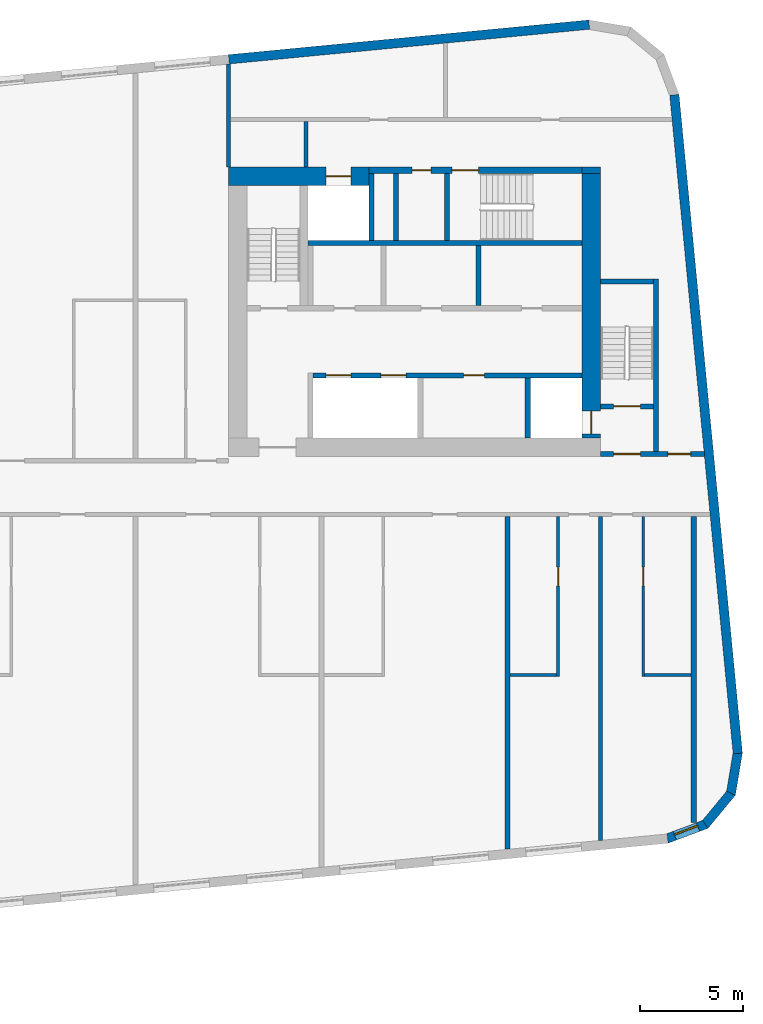
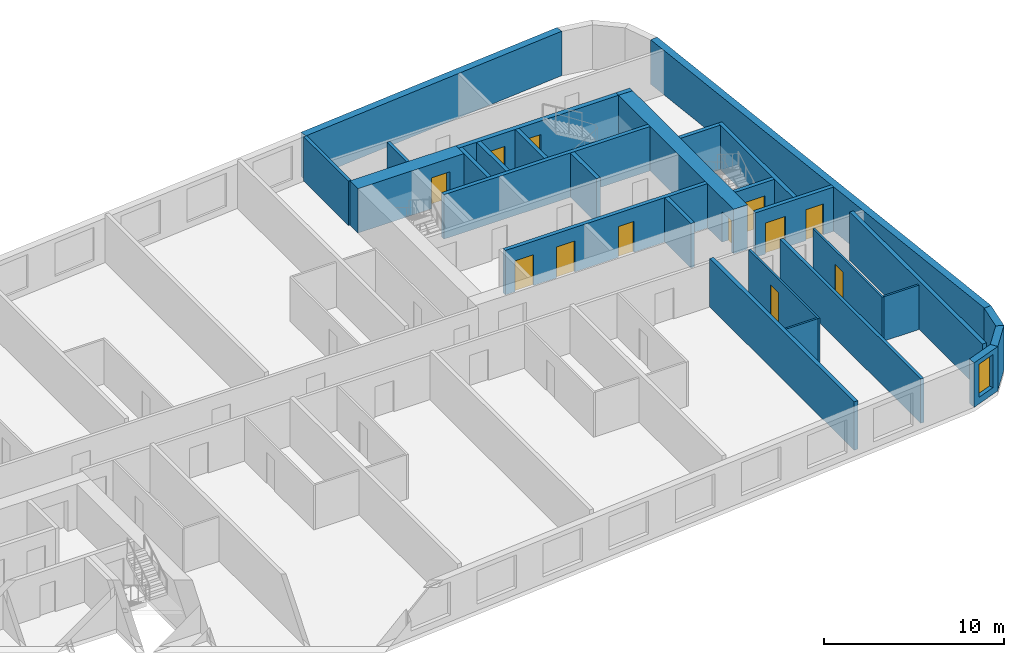
# One storey, part 6 of 11: 29 walls, 12 doors, 1 window, 13 openings.
"""IFC4 building model written with IfcOpenShell, lengths in metres."""

from ifc_helpers import new_model, si_unit, direction, frame, frame_2d, origin, place, context, subcontext, project, spatial, polyline, rectangle, outline, extrude, material, layer, layer_set, type_object, element, fill, save


model = new_model("IFC4")

# Units and contexts
model_context = context("Model", 3, precision=1e-05, world=origin(), true_north=direction((0.0, 1.0)))
body_context = subcontext(model_context, "Body", "Model", "MODEL_VIEW")
ifc_project = project(units=[si_unit("LENGTHUNIT", "METRE"), si_unit("AREAUNIT", "SQUARE_METRE"), si_unit("VOLUMEUNIT", "CUBIC_METRE"), si_unit("PLANEANGLEUNIT", "RADIAN"), si_unit("MASSUNIT", "GRAM", prefix="KILO")], contexts=[model_context])

# Site, building, storey
site_placement = place(None, origin())
site = spatial("IfcSite", under=ifc_project, at=site_placement, CompositionType="ELEMENT")
building_placement = place(site_placement, origin())
building = spatial("IfcBuilding", under=site, at=building_placement, Name="Kajstack Hotel Tower", CompositionType="ELEMENT")
storey_placement = place(building_placement, frame((0.0, 0.0, 271.800048828125)))
storey = spatial("IfcBuildingStorey", under=building, at=storey_placement, Name="L67", CompositionType="ELEMENT", Elevation=271.800048828125)

# Wall, opening, door
ifc_material_1 = material(Name="Concrete C60/75", Category="concrete")
ifc_layer_1 = layer(ifc_material_1, 0.89990234375)
ifc_layer_set_1 = layer_set([ifc_layer_1], Name="Core wall 900")
wall_type_1 = type_object("IfcWallType", Name="Core wall 900", PredefinedType="SHEAR", material=ifc_layer_set_1)
wall_1_placement = place(storey_placement, frame((13.5, 15.050048828125, 0.0), z_axis=(0.0, 0.0, 1.0), x_axis=(1.0, 0.0, 0.0)))
wall_1 = element("IfcWall", 1, at=wall_1_placement, inside=storey, type_object=wall_type_1, Name="Core wall E RS", PredefinedType="SHEAR", context=body_context, shape_type="SweptSolid", body=[
    extrude(rectangle(XDim=6.800048828125, YDim=0.89990234375, at=frame_2d((3.39990234375, 0.0))), origin(), (0.0, 0.0, 1.0), 3.02001953125),
])
opening_1_placement = place(wall_1_placement, frame((4.72509765625, 0.0, 0.0)))
opening_1 = element("IfcOpeningElement", 2, at=opening_1_placement, cuts=wall_1, Name="Opening LD-SV2", PredefinedType="OPENING", context=body_context, shape_type="SweptSolid", body=[
    extrude(rectangle(XDim=1.199951171875, YDim=2.10009765625, at=frame_2d((0.60009765625, 1.050048828125))), frame((0.0, 0.4599609375, 0.0), z_axis=(0.0, -1.0, 0.0), x_axis=(1.0, 0.0, 0.0)), (0.0, 0.0, 1.0), 0.919921875),
])
ifc_material_2 = material(Name="Stainless steel", Category="steel")
door_type_1 = type_object("IfcDoorType", Name="Lift landing door 1200", OperationType="SLIDING_TO_LEFT", PredefinedType="DOOR", material=ifc_material_2)
door_1_placement = place(opening_1_placement, origin())
door_1 = element("IfcDoor", 3, at=door_1_placement, inside=storey, type_object=door_type_1, Name="Landing door SV2", OperationType="SLIDING_TO_LEFT", OverallHeight=2.10009765625, OverallWidth=1.199951171875, PredefinedType="DOOR", context=body_context, shape_type="SweptSolid", body=[
    extrude(rectangle(XDim=1.199951171875, YDim=2.10009765625, at=frame_2d((0.60009765625, 1.050048828125))), frame((0.0, 0.02490234375, 0.0), z_axis=(0.0, -1.0, 0.0), x_axis=(1.0, 0.0, 0.0)), (0.0, 0.0, 1.0), 0.050048828125),
])
fill(opening_1, door_1)

# Wall
wall_2_placement = place(storey_placement, frame((30.60009765625, 15.35009765625, 0.0), z_axis=(0.0, 0.0, 1.0), x_axis=(1.0, 0.0, 0.0)))
element("IfcWall", 4, at=wall_2_placement, inside=storey, type_object=wall_type_1, Name="Core wall E RSW", PredefinedType="SHEAR", context=body_context, shape_type="SweptSolid", body=[
    extrude(rectangle(XDim=0.89990234375, YDim=0.300048828125, at=frame_2d((0.449951171875, 0.0))), origin(), (0.0, 0.0, 1.0), 3.02001953125),
])

# Wall, opening, door
wall_3_placement = place(storey_placement, frame((31.050048828125, 2.39990234375, 0.0), z_axis=(0.0, 0.0, 1.0), x_axis=(0.0, 1.0, 0.0)))
wall_3 = element("IfcWall", 5, at=wall_3_placement, inside=storey, type_object=wall_type_1, Name="Core wall E RW", PredefinedType="SHEAR", context=body_context, shape_type="SweptSolid", body=[
    extrude(rectangle(XDim=12.800048828125, YDim=0.89990234375, at=frame_2d((6.39990234375, 0.0))), origin(), (0.0, 0.0, 1.0), 3.02001953125),
])
opening_2_placement = place(wall_3_placement, frame((0.199951171875, 0.0, 0.0)))
opening_2 = element("IfcOpeningElement", 6, at=opening_2_placement, cuts=wall_3, Name="Opening LD-FF2", PredefinedType="OPENING", context=body_context, shape_type="SweptSolid", body=[
    extrude(rectangle(XDim=1.10009765625, YDim=2.10009765625, at=frame_2d((0.550048828125, 1.050048828125))), frame((0.0, 0.4599609375, 0.0), z_axis=(0.0, -1.0, 0.0), x_axis=(1.0, 0.0, 0.0)), (0.0, 0.0, 1.0), 0.919921875),
])
door_type_2 = type_object("IfcDoorType", Name="Fire-fighting lift landing door 1100", OperationType="SLIDING_TO_LEFT", PredefinedType="DOOR", material=ifc_material_2)
door_2_placement = place(opening_2_placement, origin())
door_2 = element("IfcDoor", 7, at=door_2_placement, inside=storey, type_object=door_type_2, Name="Landing door FF2", OperationType="SLIDING_TO_LEFT", OverallHeight=2.10009765625, OverallWidth=1.10009765625, PredefinedType="DOOR", context=body_context, shape_type="SweptSolid", body=[
    extrude(rectangle(XDim=1.10009765625, YDim=2.10009765625, at=frame_2d((0.550048828125, 1.050048828125))), frame((0.0, 0.02490234375, 0.0), z_axis=(0.0, -1.0, 0.0), x_axis=(1.0, 0.0, 0.0)), (0.0, 0.0, 1.0), 0.050048828125),
])
fill(opening_2, door_2)

# Walls
ifc_material_3 = material(Name="Twin-frame gypsum board on steel studs, mineral wool", Category="steel")
ifc_layer_2 = layer(ifc_material_3, 0.199951171875)
ifc_layer_set_2 = layer_set([ifc_layer_2], Name="Demising wall 200")
wall_type_2 = type_object("IfcWallType", Name="Demising wall 200", PredefinedType="PARTITIONING", material=ifc_layer_set_2)
wall_4_placement = place(storey_placement, frame((13.5, 15.5, 0.0), z_axis=(0.0, 0.0, 1.0), x_axis=(0.0, 1.0, 0.0)))
element("IfcWall", 8, at=wall_4_placement, inside=storey, type_object=wall_type_2, Name="G-wall-L67-001", PredefinedType="PARTITIONING", context=body_context, shape_type="SweptSolid", body=[
    extrude(rectangle(XDim=4.985107421875, YDim=0.199951171875, at=frame_2d((2.49267578125, 0.0))), origin(), (0.0, 0.0, 1.0), 3.02001953125),
])
wall_5_placement = place(storey_placement, frame((31.5, -17.06298828125, 0.0), z_axis=(0.0, 0.0, 1.0), x_axis=(0.0, 1.0, 0.0)))
element("IfcWall", 9, at=wall_5_placement, inside=storey, type_object=wall_type_2, Name="G-wall-L67-029", PredefinedType="PARTITIONING", context=body_context, shape_type="SweptSolid", body=[
    extrude(rectangle(XDim=15.6630859375, YDim=0.199951171875, at=frame_2d((7.83154296875, 0.0))), origin(), (0.0, 0.0, 1.0), 3.02001953125),
])
ifc_material_4 = material(Name="Concrete C40/50", Category="concrete")
ifc_layer_3 = layer(ifc_material_4, 0.449951171875)
ifc_layer_set_3 = layer_set([ifc_layer_3], Name="EW-CORE")
wall_type_3 = type_object("IfcWallType", Name="EW-CORE", PredefinedType="SOLIDWALL", material=ifc_layer_set_3)
wall_6_placement = place(storey_placement, frame((30.94580078125, 22.390625, 0.0), z_axis=(0.0, 0.0, 1.0), x_axis=(-0.995396397117, -0.095843688398, 0.0)))
element("IfcWall", 10, at=wall_6_placement, inside=storey, type_object=wall_type_3, Name="E-wall-L67-12-00", PredefinedType="SOLIDWALL", context=body_context, shape_type="SweptSolid", body=[
    extrude(rectangle(XDim=17.5048828125, YDim=0.449951171875, at=frame_2d((8.75244140625, 0.0))), origin(), (0.0, 0.0, 1.0), 3.02001953125),
])

# Wall, opening, window
ifc_material_5 = material(Name="Terracotta-faced brick masonry", Category="masonry")
ifc_layer_4 = layer(ifc_material_5, 0.449951171875)
ifc_layer_set_4 = layer_set([ifc_layer_4], Name="EW-TERRA")
wall_type_4 = type_object("IfcWallType", Name="EW-TERRA", PredefinedType="SOLIDWALL", material=ifc_layer_set_4)
wall_7_placement = place(storey_placement, frame((34.67919921875, -16.990478515625, 0.0), z_axis=(0.0, 0.0, 1.0), x_axis=(0.936677599948, 0.350192909346, 0.0)))
wall_7 = element("IfcWall", 11, at=wall_7_placement, inside=storey, type_object=wall_type_4, Name="E-wall-L67-05-00", PredefinedType="SOLIDWALL", context=body_context, shape_type="SweptSolid", body=[
    extrude(outline(polyline([(0.0, -0.22509765625), (2.070556640625, -0.22509765625), (1.949951171875, 0.22509765625), (0.12060546875, 0.22509765625), (0.0, -0.22509765625)])), origin(), (0.0, 0.0, 1.0), 3.02001953125),
])
opening_3_placement = place(wall_7_placement, frame((0.435302734375, 0.0, 0.449951171875)))
opening_3 = element("IfcOpeningElement", 12, at=opening_3_placement, cuts=wall_7, Name="Opening W3", PredefinedType="OPENING", context=body_context, shape_type="SweptSolid", body=[
    extrude(rectangle(XDim=1.199951171875, YDim=2.25, at=frame_2d((0.60009765625, 1.125))), frame((0.0, 0.23486328125, 0.0), z_axis=(0.0, -1.0, 0.0), x_axis=(1.0, 0.0, 0.0)), (0.0, 0.0, 1.0), 0.469970703125),
])
ifc_material_6 = material(Name="Timber-aluminium window, triple glazed", Category="wood")
window_type = type_object("IfcWindowType", Name="WG3", PartitioningType="SINGLE_PANEL", PredefinedType="WINDOW", material=ifc_material_6)
window_placement = place(opening_3_placement, origin())
window = element("IfcWindow", 13, at=window_placement, inside=storey, type_object=window_type, Name="Window W3 L67-05", OverallHeight=2.25, OverallWidth=1.199951171875, PartitioningType="SINGLE_PANEL", PredefinedType="WINDOW", context=body_context, shape_type="SweptSolid", body=[
    extrude(rectangle(XDim=1.199951171875, YDim=2.25, at=frame_2d((0.60009765625, 1.125))), frame((0.0, 0.090087890625, 0.0), z_axis=(0.0, -1.0, 0.0), x_axis=(1.0, 0.0, 0.0)), (0.0, 0.0, 1.0), 0.06005859375),
])
fill(opening_3, window)

# Walls
wall_8_placement = place(storey_placement, frame((36.52392578125, -16.3330078125, 0.0), z_axis=(0.0, 0.0, 1.0), x_axis=(0.636046112757, 0.771651049663, 0.0)))
element("IfcWall", 14, at=wall_8_placement, inside=storey, type_object=wall_type_4, Name="E-wall-L67-06-00", PredefinedType="SOLIDWALL", context=body_context, shape_type="SweptSolid", body=[
    extrude(outline(polyline([(0.0, -0.224853515625), (2.070556640625, -0.22509765625), (1.949951171875, 0.22509765625), (0.12060546875, 0.22509765625), (0.0, -0.224853515625)])), origin(), (0.0, 0.0, 1.0), 3.02001953125),
])
wall_9_placement = place(storey_placement, frame((37.79248046875, -14.84130859375, 0.0), z_axis=(0.0, 0.0, 1.0), x_axis=(0.165068144653, 0.986282164302, 0.0)))
element("IfcWall", 15, at=wall_9_placement, inside=storey, type_object=wall_type_4, Name="E-wall-L67-07-00", PredefinedType="SOLIDWALL", context=body_context, shape_type="SweptSolid", body=[
    extrude(outline(polyline([(0.0, -0.22509765625), (2.070556640625, -0.22509765625), (1.949951171875, 0.224853515625), (0.12060546875, 0.224853515625), (0.0, -0.22509765625)])), origin(), (0.0, 0.0, 1.0), 3.02001953125),
])
wall_10_placement = place(storey_placement, frame((38.13232421875, -12.85791015625, 0.0), z_axis=(0.0, 0.0, 1.0), x_axis=(-0.095847749461, 0.995396006082, 0.0)))
element("IfcWall", 16, at=wall_10_placement, inside=storey, type_object=wall_type_4, Name="E-wall-L67-08-00", PredefinedType="SOLIDWALL", context=body_context, shape_type="SweptSolid", body=[
    extrude(rectangle(XDim=32.0, YDim=0.449951171875, at=frame_2d((16.0, 0.0))), origin(), (0.0, 0.0, 1.0), 3.02001953125),
])

# Wall, opening, door
ifc_material_7 = material(Name="Gypsum board and tiled backer on steel studs", Category="steel")
ifc_layer_5 = layer(ifc_material_7, 0.125)
ifc_layer_set_5 = layer_set([ifc_layer_5], Name="En-suite wall 125")
wall_type_5 = type_object("IfcWallType", Name="En-suite wall 125", PredefinedType="PARTITIONING", material=ifc_layer_set_5)
wall_11_placement = place(storey_placement, frame((29.43798828125, -9.125, 0.0), z_axis=(0.0, 0.0, 1.0), x_axis=(0.0, 1.0, 0.0)))
wall_11 = element("IfcWall", 17, at=wall_11_placement, inside=storey, type_object=wall_type_5, Name="G-wall-L67-030", PredefinedType="PARTITIONING", context=body_context, shape_type="SweptSolid", body=[
    extrude(rectangle(XDim=7.72509765625, YDim=0.125, at=frame_2d((3.862548828125, 0.0))), origin(), (0.0, 0.0, 1.0), 3.02001953125),
])
opening_4_placement = place(wall_11_placement, frame((4.375, 0.0, 0.0)))
opening_4 = element("IfcOpeningElement", 18, at=opening_4_placement, cuts=wall_11, Name="Opening 67026", PredefinedType="OPENING", context=body_context, shape_type="SweptSolid", body=[
    extrude(rectangle(XDim=0.89990234375, YDim=2.10009765625, at=frame_2d((0.449951171875, 1.050048828125))), frame((0.0, 0.072509765625, 0.0), z_axis=(0.0, -1.0, 0.0), x_axis=(1.0, 0.0, 0.0)), (0.0, 0.0, 1.0), 0.14501953125),
])
ifc_material_8 = material(Name="Painted timber door leaf", Category="wood")
door_type_3 = type_object("IfcDoorType", Name="Room door 900", OperationType="SINGLE_SWING_LEFT", PredefinedType="DOOR", material=ifc_material_8)
door_3_placement = place(opening_4_placement, origin())
door_3 = element("IfcDoor", 19, at=door_3_placement, inside=storey, type_object=door_type_3, Name="G-door-L67-26", OperationType="SINGLE_SWING_RIGHT", OverallHeight=2.10009765625, OverallWidth=0.89990234375, PredefinedType="DOOR", context=body_context, shape_type="SweptSolid", body=[
    extrude(rectangle(XDim=0.89990234375, YDim=2.10009765625, at=frame_2d((0.449951171875, 1.050048828125))), frame((0.0, 0.02490234375, 0.0), z_axis=(0.0, -1.0, 0.0), x_axis=(1.0, 0.0, 0.0)), (0.0, 0.0, 1.0), 0.050048828125),
])
fill(opening_4, door_3)

# Wall
wall_12_placement = place(storey_placement, frame((27.125, -9.06201171875, 0.0), z_axis=(0.0, 0.0, 1.0), x_axis=(1.0, 0.0, 0.0)))
element("IfcWall", 20, at=wall_12_placement, inside=storey, type_object=wall_type_5, Name="G-wall-L67-031", PredefinedType="PARTITIONING", context=body_context, shape_type="SweptSolid", body=[
    extrude(rectangle(XDim=2.25, YDim=0.125, at=frame_2d((1.125, 0.0))), origin(), (0.0, 0.0, 1.0), 3.02001953125),
])

# Wall, opening, door
wall_13_placement = place(storey_placement, frame((33.56201171875, -9.125, 0.0), z_axis=(0.0, 0.0, 1.0), x_axis=(0.0, 1.0, 0.0)))
wall_13 = element("IfcWall", 21, at=wall_13_placement, inside=storey, type_object=wall_type_5, Name="G-wall-L67-032", PredefinedType="PARTITIONING", context=body_context, shape_type="SweptSolid", body=[
    extrude(rectangle(XDim=7.72509765625, YDim=0.125, at=frame_2d((3.862548828125, 0.0))), origin(), (0.0, 0.0, 1.0), 3.02001953125),
])
opening_5_placement = place(wall_13_placement, frame((4.375, 0.0, 0.0)))
opening_5 = element("IfcOpeningElement", 22, at=opening_5_placement, cuts=wall_13, Name="Opening 67028", PredefinedType="OPENING", context=body_context, shape_type="SweptSolid", body=[
    extrude(rectangle(XDim=0.89990234375, YDim=2.10009765625, at=frame_2d((0.449951171875, 1.050048828125))), frame((0.0, 0.072509765625, 0.0), z_axis=(0.0, -1.0, 0.0), x_axis=(1.0, 0.0, 0.0)), (0.0, 0.0, 1.0), 0.14501953125),
])
door_4_placement = place(opening_5_placement, origin())
door_4 = element("IfcDoor", 23, at=door_4_placement, inside=storey, type_object=door_type_3, Name="G-door-L67-28", OperationType="SINGLE_SWING_LEFT", OverallHeight=2.10009765625, OverallWidth=0.89990234375, PredefinedType="DOOR", context=body_context, shape_type="SweptSolid", body=[
    extrude(rectangle(XDim=0.89990234375, YDim=2.10009765625, at=frame_2d((0.449951171875, 1.050048828125))), frame((0.0, 0.02490234375, 0.0), z_axis=(0.0, -1.0, 0.0), x_axis=(1.0, 0.0, 0.0)), (0.0, 0.0, 1.0), 0.050048828125),
])
fill(opening_5, door_4)

# Walls
wall_14_placement = place(storey_placement, frame((33.625, -9.06201171875, 0.0), z_axis=(0.0, 0.0, 1.0), x_axis=(1.0, 0.0, 0.0)))
element("IfcWall", 24, at=wall_14_placement, inside=storey, type_object=wall_type_5, Name="G-wall-L67-033", PredefinedType="PARTITIONING", context=body_context, shape_type="SweptSolid", body=[
    extrude(rectangle(XDim=2.25, YDim=0.125, at=frame_2d((1.125, 0.0))), origin(), (0.0, 0.0, 1.0), 3.02001953125),
])
ifc_layer_6 = layer(ifc_material_4, 0.25)
ifc_layer_set_6 = layer_set([ifc_layer_6], Name="RC cross wall 250 C40/50")
wall_type_6 = type_object("IfcWallType", Name="RC cross wall 250 C40/50", PredefinedType="SHEAR", material=ifc_layer_set_6)
wall_15_placement = place(storey_placement, frame((27.0, -17.47412109375, 0.0), z_axis=(0.0, 0.0, 1.0), x_axis=(0.0, 1.0, 0.0)))
element("IfcWall", 25, at=wall_15_placement, inside=storey, type_object=wall_type_6, Name="S-wall-L67-11", PredefinedType="SHEAR", context=body_context, shape_type="SweptSolid", body=[
    extrude(rectangle(XDim=16.07421875, YDim=0.25, at=frame_2d((8.037109375, 0.0))), origin(), (0.0, 0.0, 1.0), 3.300048828125),
])
wall_16_placement = place(storey_placement, frame((36.0, -16.198974609375, 0.0), z_axis=(0.0, 0.0, 1.0), x_axis=(0.0, 1.0, 0.0)))
element("IfcWall", 26, at=wall_16_placement, inside=storey, type_object=wall_type_6, Name="S-wall-L67-12", PredefinedType="SHEAR", context=body_context, shape_type="SweptSolid", body=[
    extrude(rectangle(XDim=14.799072265625, YDim=0.25, at=frame_2d((7.3994140625, 0.0))), origin(), (0.0, 0.0, 1.0), 3.300048828125),
])
ifc_material_9 = material(Name="Concrete block masonry", Category="masonry")
ifc_layer_7 = layer(ifc_material_9, 0.25)
ifc_layer_set_7 = layer_set([ifc_layer_7], Name="Riser partition 250")
wall_type_7 = type_object("IfcWallType", Name="Riser partition 250", PredefinedType="PARTITIONING", material=ifc_layer_set_7)
wall_17_placement = place(storey_placement, frame((25.60009765625, 8.800048828125, 0.0), z_axis=(0.0, 0.0, 1.0), x_axis=(0.0, 1.0, 0.0)))
element("IfcWall", 27, at=wall_17_placement, inside=storey, type_object=wall_type_7, Name="Partition E BF0", PredefinedType="PARTITIONING", context=body_context, shape_type="SweptSolid", body=[
    extrude(rectangle(XDim=2.89990234375, YDim=0.25, at=frame_2d((1.449951171875, 0.0))), origin(), (0.0, 0.0, 1.0), 3.02001953125),
])
wall_18_placement = place(storey_placement, frame((21.60009765625, 11.949951171875, 0.0), z_axis=(0.0, 0.0, 1.0), x_axis=(0.0, 1.0, 0.0)))
element("IfcWall", 28, at=wall_18_placement, inside=storey, type_object=wall_type_7, Name="Partition E SZ0", PredefinedType="PARTITIONING", context=body_context, shape_type="SweptSolid", body=[
    extrude(rectangle(XDim=3.25, YDim=0.25, at=frame_2d((1.625, 0.0))), origin(), (0.0, 0.0, 1.0), 3.02001953125),
])

# Wall, openings, doors
ifc_material_10 = material(Name="Gypsum board on steel studs, mineral wool", Category="steel")
ifc_layer_8 = layer(ifc_material_10, 0.199951171875)
ifc_layer_set_8 = layer_set([ifc_layer_8], Name="Service partition 200")
wall_type_8 = type_object("IfcWallType", Name="Service partition 200", PredefinedType="PARTITIONING", material=ifc_layer_set_8)
wall_19_placement = place(storey_placement, frame((31.5, 1.625, 0.0), z_axis=(0.0, 0.0, 1.0), x_axis=(1.0, 0.0, 0.0)))
wall_19 = element("IfcWall", 29, at=wall_19_placement, inside=storey, type_object=wall_type_8, Name="Partition E SN", PredefinedType="PARTITIONING", context=body_context, shape_type="SweptSolid", body=[
    extrude(rectangle(XDim=5.01171875, YDim=0.25, at=frame_2d((2.505859375, 0.0))), origin(), (0.0, 0.0, 1.0), 3.02001953125),
])
opening_6_placement = place(wall_19_placement, frame((0.625, 0.0, 0.0)))
opening_6 = element("IfcOpeningElement", 30, at=opening_6_placement, cuts=wall_19, Name="Opening 67E06", PredefinedType="OPENING", context=body_context, shape_type="SweptSolid", body=[
    extrude(rectangle(XDim=1.300048828125, YDim=2.10009765625, at=frame_2d((0.64990234375, 1.050048828125))), frame((0.0, 0.135009765625, 0.0), z_axis=(0.0, -1.0, 0.0), x_axis=(1.0, 0.0, 0.0)), (0.0, 0.0, 1.0), 0.27001953125),
])
opening_7_placement = place(wall_19_placement, frame((3.25, 0.0, 0.0)))
opening_7 = element("IfcOpeningElement", 31, at=opening_7_placement, cuts=wall_19, Name="Opening 67E08", PredefinedType="OPENING", context=body_context, shape_type="SweptSolid", body=[
    extrude(rectangle(XDim=1.10009765625, YDim=2.10009765625, at=frame_2d((0.550048828125, 1.050048828125))), frame((0.0, 0.135009765625, 0.0), z_axis=(0.0, -1.0, 0.0), x_axis=(1.0, 0.0, 0.0)), (0.0, 0.0, 1.0), 0.27001953125),
])
ifc_material_11 = material(Name="Steel leaf, fire-rated", Category="steel")
door_type_4 = type_object("IfcDoorType", Name="Fire lobby door 1300", OperationType="SINGLE_SWING_LEFT", PredefinedType="DOOR", material=ifc_material_11)
door_5_placement = place(opening_6_placement, origin())
door_5 = element("IfcDoor", 32, at=door_5_placement, inside=storey, type_object=door_type_4, Name="Door 67E06", OperationType="SINGLE_SWING_LEFT", OverallHeight=2.10009765625, OverallWidth=1.300048828125, PredefinedType="DOOR", context=body_context, shape_type="SweptSolid", body=[
    extrude(rectangle(XDim=1.300048828125, YDim=2.10009765625, at=frame_2d((0.64990234375, 1.050048828125))), frame((0.0, 0.02490234375, 0.0), z_axis=(0.0, -1.0, 0.0), x_axis=(1.0, 0.0, 0.0)), (0.0, 0.0, 1.0), 0.050048828125),
])
fill(opening_6, door_5)
ifc_material_12 = material(Name="Timber leaf, fire-rated", Category="wood")
door_type_5 = type_object("IfcDoorType", Name="Service corridor door 1100", OperationType="SINGLE_SWING_LEFT", PredefinedType="DOOR", material=ifc_material_12)
door_6_placement = place(opening_7_placement, origin())
door_6 = element("IfcDoor", 33, at=door_6_placement, inside=storey, type_object=door_type_5, Name="Door 67E08", OperationType="SINGLE_SWING_LEFT", OverallHeight=2.10009765625, OverallWidth=1.10009765625, PredefinedType="DOOR", context=body_context, shape_type="SweptSolid", body=[
    extrude(rectangle(XDim=1.10009765625, YDim=2.10009765625, at=frame_2d((0.550048828125, 1.050048828125))), frame((0.0, 0.02490234375, 0.0), z_axis=(0.0, -1.0, 0.0), x_axis=(1.0, 0.0, 0.0)), (0.0, 0.0, 1.0), 0.050048828125),
])
fill(opening_7, door_6)

# Wall
wall_20_placement = place(storey_placement, frame((17.25, 15.5, 0.0), z_axis=(0.0, 0.0, 1.0), x_axis=(0.0, 1.0, 0.0)))
element("IfcWall", 34, at=wall_20_placement, inside=storey, type_object=wall_type_8, Name="Partition E SCE", PredefinedType="PARTITIONING", context=body_context, shape_type="SweptSolid", body=[
    extrude(rectangle(XDim=2.199951171875, YDim=0.199951171875, at=frame_2d((1.10009765625, 0.0))), origin(), (0.0, 0.0, 1.0), 3.02001953125),
])

# Wall, openings, doors
ifc_material_13 = material(Name="Concrete C50/60", Category="concrete")
ifc_layer_9 = layer(ifc_material_13, 0.25)
ifc_layer_set_9 = layer_set([ifc_layer_9], Name="Shaft wall 250")
wall_type_9 = type_object("IfcWallType", Name="Shaft wall 250", PredefinedType="SHEAR", material=ifc_layer_set_9)
wall_21_placement = place(storey_placement, frame((20.300048828125, 15.35009765625, 0.0), z_axis=(0.0, 0.0, 1.0), x_axis=(1.0, 0.0, 0.0)))
wall_21 = element("IfcWall", 35, at=wall_21_placement, inside=storey, type_object=wall_type_9, Name="Core wall E RSS", PredefinedType="SHEAR", context=body_context, shape_type="SweptSolid", body=[
    extrude(rectangle(XDim=10.300048828125, YDim=0.300048828125, at=frame_2d((5.14990234375, 0.0))), origin(), (0.0, 0.0, 1.0), 3.02001953125),
])
opening_8_placement = place(wall_21_placement, frame((4.0, 0.0, 0.0)))
opening_8 = element("IfcOpeningElement", 36, at=opening_8_placement, cuts=wall_21, Name="Opening 67E10", PredefinedType="OPENING", context=body_context, shape_type="SweptSolid", body=[
    extrude(rectangle(XDim=1.300048828125, YDim=2.10009765625, at=frame_2d((0.64990234375, 1.050048828125))), frame((0.0, 0.159912109375, 0.0), z_axis=(0.0, -1.0, 0.0), x_axis=(1.0, 0.0, 0.0)), (0.0, 0.0, 1.0), 0.320068359375),
])
opening_9_placement = place(wall_21_placement, frame((2.08740234375, 0.0, 0.0)))
opening_9 = element("IfcOpeningElement", 37, at=opening_9_placement, cuts=wall_21, Name="Opening 67E11", PredefinedType="OPENING", context=body_context, shape_type="SweptSolid", body=[
    extrude(rectangle(XDim=0.89990234375, YDim=2.10009765625, at=frame_2d((0.449951171875, 1.050048828125))), frame((0.0, 0.159912109375, 0.0), z_axis=(0.0, -1.0, 0.0), x_axis=(1.0, 0.0, 0.0)), (0.0, 0.0, 1.0), 0.320068359375),
])
door_type_6 = type_object("IfcDoorType", Name="Service door 900", OperationType="SINGLE_SWING_LEFT", PredefinedType="DOOR", material=ifc_material_12)
door_7_placement = place(opening_9_placement, origin())
door_7 = element("IfcDoor", 38, at=door_7_placement, inside=storey, type_object=door_type_6, Name="Door 67E11", OperationType="SINGLE_SWING_RIGHT", OverallHeight=2.10009765625, OverallWidth=0.89990234375, PredefinedType="DOOR", context=body_context, shape_type="SweptSolid", body=[
    extrude(rectangle(XDim=0.89990234375, YDim=2.10009765625, at=frame_2d((0.449951171875, 1.050048828125))), frame((0.0, 0.02490234375, 0.0), z_axis=(0.0, -1.0, 0.0), x_axis=(1.0, 0.0, 0.0)), (0.0, 0.0, 1.0), 0.050048828125),
])
fill(opening_9, door_7)
door_type_7 = type_object("IfcDoorType", Name="Stair door 1300", OperationType="SINGLE_SWING_LEFT", PredefinedType="DOOR", material=ifc_material_11)
door_8_placement = place(opening_8_placement, origin())
door_8 = element("IfcDoor", 39, at=door_8_placement, inside=storey, type_object=door_type_7, Name="Door 67E10", OperationType="SINGLE_SWING_LEFT", OverallHeight=2.10009765625, OverallWidth=1.300048828125, PredefinedType="DOOR", context=body_context, shape_type="SweptSolid", body=[
    extrude(rectangle(XDim=1.300048828125, YDim=2.10009765625, at=frame_2d((0.64990234375, 1.050048828125))), frame((0.0, 0.02490234375, 0.0), z_axis=(0.0, -1.0, 0.0), x_axis=(1.0, 0.0, 0.0)), (0.0, 0.0, 1.0), 0.050048828125),
])
fill(opening_8, door_8)

wall_22_placement = place(storey_placement, frame((17.60009765625, 5.425048828125, 0.0), z_axis=(0.0, 0.0, 1.0), x_axis=(1.0, 0.0, 0.0)))
wall_22 = element("IfcWall", 40, at=wall_22_placement, inside=storey, type_object=wall_type_9, Name="Core wall E FA", PredefinedType="SHEAR", context=body_context, shape_type="SweptSolid", body=[
    extrude(rectangle(XDim=13.0, YDim=0.25, at=frame_2d((6.5, 0.0))), origin(), (0.0, 0.0, 1.0), 3.02001953125),
])
opening_10_placement = place(wall_22_placement, frame((3.27490234375, 0.0, 0.0)))
opening_10 = element("IfcOpeningElement", 41, at=opening_10_placement, cuts=wall_22, Name="Opening LD-HR3", PredefinedType="OPENING", context=body_context, shape_type="SweptSolid", body=[
    extrude(rectangle(XDim=1.199951171875, YDim=2.10009765625, at=frame_2d((0.60009765625, 1.050048828125))), frame((0.0, 0.135009765625, 0.0), z_axis=(0.0, -1.0, 0.0), x_axis=(1.0, 0.0, 0.0)), (0.0, 0.0, 1.0), 0.27001953125),
])
opening_11_placement = place(wall_22_placement, frame((0.625, 0.0, 0.0)))
opening_11 = element("IfcOpeningElement", 42, at=opening_11_placement, cuts=wall_22, Name="Opening LD-HR4", PredefinedType="OPENING", context=body_context, shape_type="SweptSolid", body=[
    extrude(rectangle(XDim=1.199951171875, YDim=2.10009765625, at=frame_2d((0.60009765625, 1.050048828125))), frame((0.0, 0.135009765625, 0.0), z_axis=(0.0, -1.0, 0.0), x_axis=(1.0, 0.0, 0.0)), (0.0, 0.0, 1.0), 0.27001953125),
])
opening_12_placement = place(wall_22_placement, frame((7.27490234375, 0.0, 0.0)))
opening_12 = element("IfcOpeningElement", 43, at=opening_12_placement, cuts=wall_22, Name="Opening 67E15", PredefinedType="OPENING", context=body_context, shape_type="SweptSolid", body=[
    extrude(rectangle(XDim=1.0, YDim=2.10009765625, at=frame_2d((0.5, 1.050048828125))), frame((0.0, 0.135009765625, 0.0), z_axis=(0.0, -1.0, 0.0), x_axis=(1.0, 0.0, 0.0)), (0.0, 0.0, 1.0), 0.27001953125),
])
door_9_placement = place(opening_10_placement, origin())
door_9 = element("IfcDoor", 44, at=door_9_placement, inside=storey, type_object=door_type_1, Name="Landing door HR3", OperationType="SLIDING_TO_RIGHT", OverallHeight=2.10009765625, OverallWidth=1.199951171875, PredefinedType="DOOR", context=body_context, shape_type="SweptSolid", body=[
    extrude(rectangle(XDim=1.199951171875, YDim=2.10009765625, at=frame_2d((0.60009765625, 1.050048828125))), frame((0.0, 0.02490234375, 0.0), z_axis=(0.0, -1.0, 0.0), x_axis=(1.0, 0.0, 0.0)), (0.0, 0.0, 1.0), 0.050048828125),
])
fill(opening_10, door_9)
door_10_placement = place(opening_11_placement, origin())
door_10 = element("IfcDoor", 45, at=door_10_placement, inside=storey, type_object=door_type_1, Name="Landing door HR4", OperationType="SLIDING_TO_LEFT", OverallHeight=2.10009765625, OverallWidth=1.199951171875, PredefinedType="DOOR", context=body_context, shape_type="SweptSolid", body=[
    extrude(rectangle(XDim=1.199951171875, YDim=2.10009765625, at=frame_2d((0.60009765625, 1.050048828125))), frame((0.0, 0.02490234375, 0.0), z_axis=(0.0, -1.0, 0.0), x_axis=(1.0, 0.0, 0.0)), (0.0, 0.0, 1.0), 0.050048828125),
])
fill(opening_11, door_10)
door_type_8 = type_object("IfcDoorType", Name="Service room door 1000", OperationType="SINGLE_SWING_LEFT", PredefinedType="DOOR", material=ifc_material_12)
door_11_placement = place(opening_12_placement, origin())
door_11 = element("IfcDoor", 46, at=door_11_placement, inside=storey, type_object=door_type_8, Name="Door 67E15", OperationType="SINGLE_SWING_LEFT", OverallHeight=2.10009765625, OverallWidth=1.0, PredefinedType="DOOR", context=body_context, shape_type="SweptSolid", body=[
    extrude(rectangle(XDim=1.0, YDim=2.10009765625, at=frame_2d((0.5, 1.050048828125))), frame((0.0, 0.02490234375, 0.0), z_axis=(0.0, -1.0, 0.0), x_axis=(1.0, 0.0, 0.0)), (0.0, 0.0, 1.0), 0.050048828125),
])
fill(opening_12, door_11)

# Walls
wall_23_placement = place(storey_placement, frame((27.97509765625, 2.39990234375, 0.0), z_axis=(0.0, 0.0, 1.0), x_axis=(0.0, 1.0, 0.0)))
element("IfcWall", 47, at=wall_23_placement, inside=storey, type_object=wall_type_9, Name="Core wall E AP0", PredefinedType="SHEAR", context=body_context, shape_type="SweptSolid", body=[
    extrude(rectangle(XDim=2.900146484375, YDim=0.25, at=frame_2d((1.4501953125, 0.0))), origin(), (0.0, 0.0, 1.0), 3.02001953125),
])
wall_24_placement = place(storey_placement, frame((17.35009765625, 11.824951171875, 0.0), z_axis=(0.0, 0.0, 1.0), x_axis=(1.0, 0.0, 0.0)))
element("IfcWall", 48, at=wall_24_placement, inside=storey, type_object=wall_type_9, Name="Core wall E RB", PredefinedType="SHEAR", context=body_context, shape_type="SweptSolid", body=[
    extrude(rectangle(XDim=13.25, YDim=0.25, at=frame_2d((6.625, 0.0))), origin(), (0.0, 0.0, 1.0), 3.02001953125),
])
wall_25_placement = place(storey_placement, frame((20.425048828125, 11.949951171875, 0.0), z_axis=(0.0, 0.0, 1.0), x_axis=(0.0, 1.0, 0.0)))
element("IfcWall", 49, at=wall_25_placement, inside=storey, type_object=wall_type_9, Name="Core wall E SVW", PredefinedType="SHEAR", context=body_context, shape_type="SweptSolid", body=[
    extrude(rectangle(XDim=3.25, YDim=0.25, at=frame_2d((1.625, 0.0))), origin(), (0.0, 0.0, 1.0), 3.02001953125),
])

# Wall, opening, door
ifc_layer_10 = layer(ifc_material_4, 0.25)
ifc_layer_set_10 = layer_set([ifc_layer_10], Name="Stair enclosure wall 250")
wall_type_10 = type_object("IfcWallType", Name="Stair enclosure wall 250", PredefinedType="SHEAR", material=ifc_layer_set_10)
wall_26_placement = place(storey_placement, frame((31.5, 3.925048828125, 0.0), z_axis=(0.0, 0.0, 1.0), x_axis=(1.0, 0.0, 0.0)))
wall_26 = element("IfcWall", 50, at=wall_26_placement, inside=storey, type_object=wall_type_10, Name="Core wall E W1N", PredefinedType="SHEAR", context=body_context, shape_type="SweptSolid", body=[
    extrude(rectangle(XDim=2.550048828125, YDim=0.25, at=frame_2d((1.27490234375, 0.0))), origin(), (0.0, 0.0, 1.0), 3.02001953125),
])
opening_13_placement = place(wall_26_placement, frame((0.625, 0.0, 0.0)))
opening_13 = element("IfcOpeningElement", 51, at=opening_13_placement, cuts=wall_26, Name="Opening 67E07", PredefinedType="OPENING", context=body_context, shape_type="SweptSolid", body=[
    extrude(rectangle(XDim=1.300048828125, YDim=2.10009765625, at=frame_2d((0.64990234375, 1.050048828125))), frame((0.0, 0.135009765625, 0.0), z_axis=(0.0, -1.0, 0.0), x_axis=(1.0, 0.0, 0.0)), (0.0, 0.0, 1.0), 0.27001953125),
])
door_12_placement = place(opening_13_placement, origin())
door_12 = element("IfcDoor", 52, at=door_12_placement, inside=storey, type_object=door_type_7, Name="Door 67E07", OperationType="SINGLE_SWING_LEFT", OverallHeight=2.10009765625, OverallWidth=1.300048828125, PredefinedType="DOOR", context=body_context, shape_type="SweptSolid", body=[
    extrude(rectangle(XDim=1.300048828125, YDim=2.10009765625, at=frame_2d((0.64990234375, 1.050048828125))), frame((0.0, 0.02490234375, 0.0), z_axis=(0.0, -1.0, 0.0), x_axis=(1.0, 0.0, 0.0)), (0.0, 0.0, 1.0), 0.050048828125),
])
fill(opening_13, door_12)

# Walls
wall_27_placement = place(storey_placement, frame((34.175048828125, 1.75, 0.0), z_axis=(0.0, 0.0, 1.0), x_axis=(0.0, 1.0, 0.0)))
element("IfcWall", 53, at=wall_27_placement, inside=storey, type_object=wall_type_10, Name="Core wall E W1W", PredefinedType="SHEAR", context=body_context, shape_type="SweptSolid", body=[
    extrude(rectangle(XDim=8.35009765625, YDim=0.25, at=frame_2d((4.175048828125, 0.0))), origin(), (0.0, 0.0, 1.0), 3.02001953125),
])
wall_28_placement = place(storey_placement, frame((31.5, 9.97509765625, 0.0), z_axis=(0.0, 0.0, 1.0), x_axis=(1.0, 0.0, 0.0)))
element("IfcWall", 54, at=wall_28_placement, inside=storey, type_object=wall_type_10, Name="Core wall E W1S", PredefinedType="SHEAR", context=body_context, shape_type="SweptSolid", body=[
    extrude(rectangle(XDim=2.550048828125, YDim=0.25, at=frame_2d((1.27490234375, 0.0))), origin(), (0.0, 0.0, 1.0), 3.02001953125),
])
ifc_layer_11 = layer(ifc_material_13, 0.35009765625)
ifc_layer_set_11 = layer_set([ifc_layer_11], Name="Stair enclosure wall 350")
wall_type_11 = type_object("IfcWallType", Name="Stair enclosure wall 350", PredefinedType="SHEAR", material=ifc_layer_set_11)
wall_29_placement = place(storey_placement, frame((24.074951171875, 11.949951171875, 0.0), z_axis=(0.0, 0.0, 1.0), x_axis=(0.0, 1.0, 0.0)))
element("IfcWall", 55, at=wall_29_placement, inside=storey, type_object=wall_type_11, Name="Core wall E W3E", PredefinedType="SHEAR", context=body_context, shape_type="SweptSolid", body=[
    extrude(rectangle(XDim=3.25, YDim=0.25, at=frame_2d((1.625, 0.0))), origin(), (0.0, 0.0, 1.0), 3.02001953125),
])

save(model, "model.ifc")
